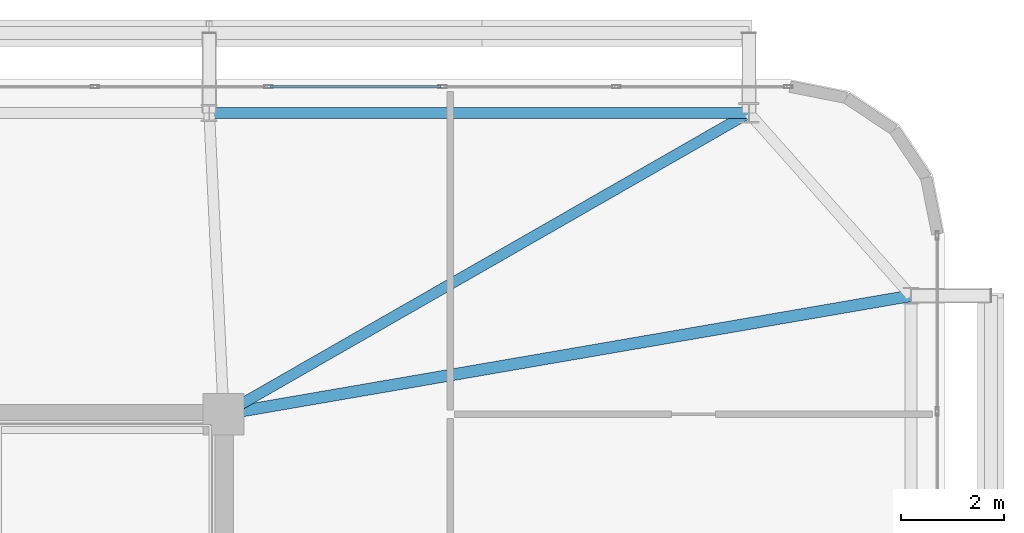
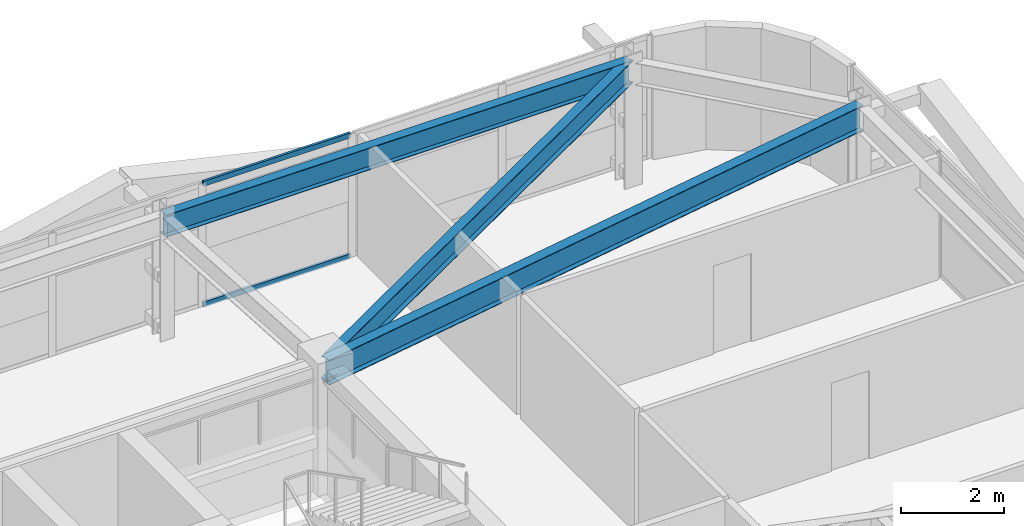
# One storey, part 39 of 58: 3 beams, 2 members, 1 element without a shape of its own.
"""IFC4 building model written with IfcOpenShell, lengths in metres."""

from ifc_helpers import new_model, si_unit, direction, frame, origin, origin_2d, place, context, subcontext, project, spatial, hollow_rectangle, i_section, extrude, source, transform, mapped, material, layer, layer_set, material_profile, profile_set, type_object, element, aggregate, save


model = new_model("IFC4")

# Units and contexts
model_context = context("Model", 3, precision=1e-05, world=origin(), true_north=direction((0.0, 1.0)))
body_context = subcontext(model_context, "Body", "Model", "MODEL_VIEW")
ifc_project = project(units=[si_unit("LENGTHUNIT", "METRE"), si_unit("AREAUNIT", "SQUARE_METRE"), si_unit("VOLUMEUNIT", "CUBIC_METRE"), si_unit("PLANEANGLEUNIT", "RADIAN"), si_unit("MASSUNIT", "GRAM", prefix="KILO")], contexts=[model_context])

# Site, building, storey
site_placement = place(None, origin())
site = spatial("IfcSite", under=ifc_project, at=site_placement, CompositionType="ELEMENT")
building_placement = place(site_placement, origin())
building = spatial("IfcBuilding", under=site, at=building_placement, Name="Taldren Reach Tower", CompositionType="ELEMENT")
storey_placement = place(building_placement, frame((0.0, 0.0, 51.449951171875)))
storey = spatial("IfcBuildingStorey", under=building, at=storey_placement, Name="L15", CompositionType="ELEMENT", Elevation=51.449951171875)

# Beams
ifc_material_1 = material(Name="Steel Gr 350 (350PLUS)", Category="steel")
ifc_material_profile_1 = material_profile(ifc_material_1, i_section(OverallWidth=0.208984375, OverallDepth=0.528076171875, WebThickness=0.009521484375, FlangeThickness=0.01318359375, at=origin_2d()), Name="530UB82.0")
ifc_profile_set_1 = profile_set([ifc_material_profile_1], Name="Steel Gr 350 (350PLUS)")
beam_type_1 = type_object("IfcBeamType", Name="SP-UB530B", PredefinedType="SPANDREL", material=ifc_profile_set_1)
shared_shape_1 = source(origin(), body_context, "Body", "SweptSolid", [
    extrude(i_section(OverallWidth=0.208984375, OverallDepth=0.528076171875, WebThickness=0.009521484375, FlangeThickness=0.01318359375, at=origin_2d()), origin(), (0.0, 0.0, 1.0), 10.47998046875),
])
beam_1_placement = place(storey_placement, frame((61.199951171875, 37.85009765625, 2.666015625), z_axis=(-1.0, 0.0, 0.0), x_axis=(0.0, -1.0, 0.0)))
element("IfcBeam", 1, at=beam_1_placement, inside=storey, type_object=beam_type_1, Name="Perimeter spandrel B1 N6-N5 L15", PredefinedType="SPANDREL", context=body_context, shape_type="MappedRepresentation", body=[
    mapped(shared_shape_1, transform((0.0, 0.0, 0.0), scale=1.0)),
])
ifc_material_profile_2 = material_profile(ifc_material_1, i_section(OverallWidth=0.22802734375, OverallDepth=0.60205078125, WebThickness=0.010498046875, FlangeThickness=0.014892578125, at=origin_2d()), Name="610UB101")
ifc_profile_set_2 = profile_set([ifc_material_profile_2], Name="Steel Gr 350 (350PLUS)")
beam_type_2 = type_object("IfcBeamType", Name="BM-UB610B", PredefinedType="BEAM", material=ifc_profile_set_2)
shared_shape_2 = source(origin(), body_context, "Body", "SweptSolid", [
    extrude(i_section(OverallWidth=0.22802734375, OverallDepth=0.60205078125, WebThickness=0.010498046875, FlangeThickness=0.014892578125, at=origin_2d()), origin(), (0.0, 0.0, 1.0), 13.546875),
])
beam_2_placement = place(storey_placement, frame((51.0, 32.0, 2.629150390625), z_axis=(0.985481022998, 0.169785609847, 0.0), x_axis=(-0.169785609847, 0.985481022998, 0.0)))
element("IfcBeam", 2, at=beam_2_placement, inside=storey, type_object=beam_type_2, Name="Primary floor girder B1-E3 L15", PredefinedType="BEAM", context=body_context, shape_type="MappedRepresentation", body=[
    mapped(shared_shape_2, transform((0.0, 0.0, 0.0), scale=1.0)),
])
ifc_material_profile_3 = material_profile(ifc_material_1, i_section(OverallWidth=0.208984375, OverallDepth=0.532958984375, WebThickness=0.01025390625, FlangeThickness=0.015625, at=origin_2d()), Name="530UB92.4")
ifc_profile_set_3 = profile_set([ifc_material_profile_3], Name="Steel Gr 350 (350PLUS)")
beam_type_3 = type_object("IfcBeamType", Name="BM-UB530A", PredefinedType="BEAM", material=ifc_profile_set_3)
shared_shape_3 = source(origin(), body_context, "Body", "SweptSolid", [
    extrude(i_section(OverallWidth=0.208984375, OverallDepth=0.532958984375, WebThickness=0.01025390625, FlangeThickness=0.015625, at=origin_2d()), origin(), (0.0, 0.0, 1.0), 11.758544921875),
])
beam_3_placement = place(storey_placement, frame((51.0, 32.0, 2.66357421875), z_axis=(0.867452414141, 0.497520159593, 0.0), x_axis=(-0.497520159593, 0.867452414141, 0.0)))
element("IfcBeam", 3, at=beam_3_placement, inside=storey, type_object=beam_type_3, Name="Primary floor girder B1-N6 L15", PredefinedType="BEAM", context=body_context, shape_type="MappedRepresentation", body=[
    mapped(shared_shape_3, transform((0.0, 0.0, 0.0), scale=1.0)),
])

# Curtain wall, members
ifc_material_2 = material(Name="Aluminium and Low-E Glass Unitised System", Category="aluminium")
ifc_layer = layer(ifc_material_2, 0.159912109375)
ifc_layer_set = layer_set([ifc_layer], Name="Aluminium and Low-E Glass Unitised System")
curtain_wall_type = type_object("IfcCurtainWallType", Name="CW-SYS-2", PredefinedType="NOTDEFINED", material=ifc_layer_set)
curtain_wall_placement = place(storey_placement, origin())
curtain_wall = element("IfcCurtainWall", 4, at=curtain_wall_placement, inside=storey, type_object=curtain_wall_type, Name="Unitised curtain wall CW-L15-N", PredefinedType="NOTDEFINED")
ifc_material_3 = material(Name="Anodised Aluminium 6063-T6", Category="aluminium")
ifc_material_profile_4 = material_profile(ifc_material_3, hollow_rectangle(XDim=0.054931640625, YDim=0.1201171875, WallThickness=0.0029296875, at=origin_2d()), Name="ALU-120x55x3RHS")
ifc_profile_set_4 = profile_set([ifc_material_profile_4], Name="Anodised Aluminium 6063-T6")
member_type = type_object("IfcMemberType", Name="CW-TRN-135", PredefinedType="USERDEFINED", material=ifc_profile_set_4)
shared_shape_4 = source(origin(), body_context, "Body", "SweptSolid", [
    extrude(hollow_rectangle(XDim=0.054931640625, YDim=0.1201171875, WallThickness=0.0029296875, at=origin_2d()), origin(), (0.0, 0.0, 1.0), 3.31005859375),
])
member_1_placement = place(storey_placement, frame((55.217529296875, 38.360107421875, 0.027587890625), z_axis=(-1.0, 0.0, 0.0), x_axis=(0.0, -1.0, 0.0)))
member_1 = element("IfcMember", 5, at=member_1_placement, type_object=member_type, Name="CW-2 transom 3.1", ObjectType="TRANSOM", PredefinedType="USERDEFINED", context=body_context, shape_type="MappedRepresentation", body=[
    mapped(shared_shape_4, transform((0.0, 0.0, 0.0), scale=1.0)),
])
member_2_placement = place(storey_placement, frame((55.217529296875, 38.360107421875, 2.902587890625), z_axis=(-1.0, 0.0, 0.0), x_axis=(0.0, -1.0, 0.0)))
member_2 = element("IfcMember", 6, at=member_2_placement, type_object=member_type, Name="CW-2 transom 3.2", ObjectType="TRANSOM", PredefinedType="USERDEFINED", context=body_context, shape_type="MappedRepresentation", body=[
    mapped(shared_shape_4, transform((0.0, 0.0, 0.0), scale=1.0)),
])
aggregate(curtain_wall, [member_1, member_2])

save(model, "model.ifc")
